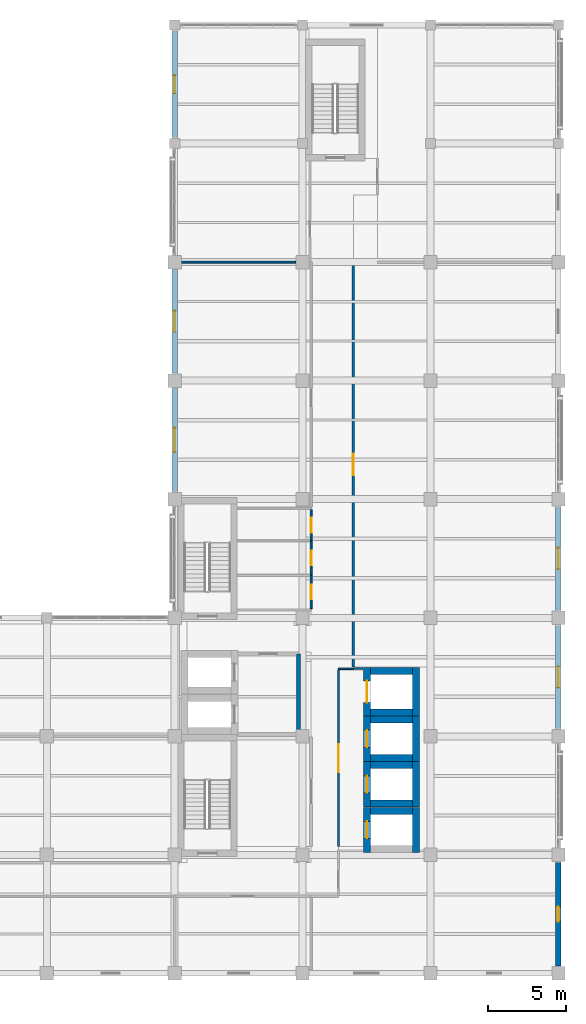
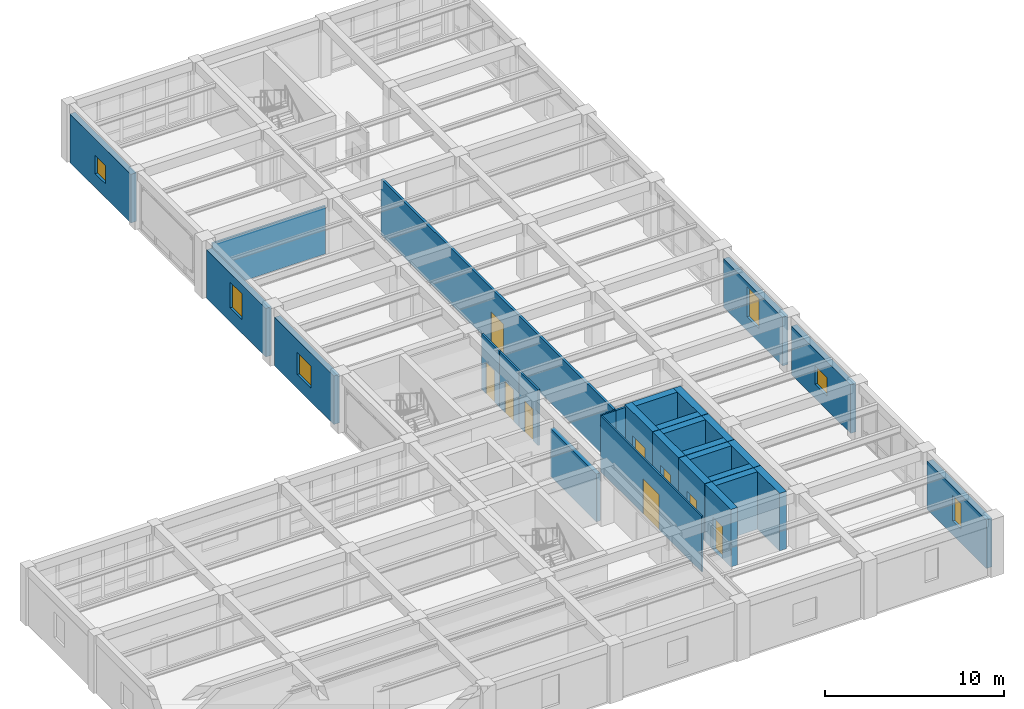
# One storey, part 10 of 16: 30 walls, 9 doors, 6 windows, 15 openings.
"""IFC4 building model written with IfcOpenShell, lengths in metres."""

from ifc_helpers import new_model, si_unit, direction, frame, frame_2d, origin, place, context, subcontext, project, spatial, rectangle, extrude, material, layer, layer_set, type_object, element, fill, save


model = new_model("IFC4")

# Units and contexts
model_context = context("Model", 3, precision=1e-05, world=origin(), true_north=direction((0.0, 1.0)))
body_context = subcontext(model_context, "Body", "Model", "MODEL_VIEW")
ifc_project = project(units=[si_unit("LENGTHUNIT", "METRE"), si_unit("AREAUNIT", "SQUARE_METRE"), si_unit("VOLUMEUNIT", "CUBIC_METRE"), si_unit("PLANEANGLEUNIT", "RADIAN"), si_unit("MASSUNIT", "GRAM", prefix="KILO")], contexts=[model_context])

# Site, building, storey
site_placement = place(None, origin())
site = spatial("IfcSite", under=ifc_project, at=site_placement, CompositionType="ELEMENT")
building_placement = place(site_placement, origin())
building = spatial("IfcBuilding", under=site, at=building_placement, Name="Qandaris Square Conservatory and Botanical Centre", CompositionType="ELEMENT")
storey_placement = place(building_placement, frame((0.0, 0.0, 24.0)))
storey = spatial("IfcBuildingStorey", under=building, at=storey_placement, Name="L05", CompositionType="ELEMENT", Elevation=24.0)

# Wall
ifc_material_1 = material(Name="Gypsum Plasterboard", Category="gypsum")
ifc_layer_1 = layer(ifc_material_1, 0.14990234375)
ifc_layer_set_1 = layer_set([ifc_layer_1], Name="Gypsum Plasterboard")
wall_type_1 = type_object("IfcWallType", Name="Acoustic Laboratory Partition 150mm", PredefinedType="PARTITIONING", material=ifc_layer_set_1)
wall_1_placement = place(storey_placement, frame((150.64990234375, 36.14990234375, 0.0), z_axis=(0.0, 0.0, 1.0), x_axis=(1.0, 0.0, 0.0)))
element("IfcWall", 1, at=wall_1_placement, inside=storey, type_object=wall_type_1, Name="Interior Partition IW-L05-0216", PredefinedType="PARTITIONING", context=body_context, shape_type="SweptSolid", body=[
    extrude(rectangle(XDim=0.6201171875, YDim=0.14990234375, at=frame_2d((0.31005859375, 0.0))), origin(), (0.0, 0.0, 1.0), 3.804931640625),
])

# Wall, opening, door
wall_2_placement = place(storey_placement, frame((150.64990234375, 62.199951171875, 0.0), z_axis=(0.0, 0.0, 1.0), x_axis=(0.0, -1.0, 0.0)))
wall_2 = element("IfcWall", 2, at=wall_2_placement, inside=storey, type_object=wall_type_1, Name="Interior Partition IW-L05-0227", PredefinedType="PARTITIONING", context=body_context, shape_type="SweptSolid", body=[
    extrude(rectangle(XDim=25.949951171875, YDim=0.14990234375, at=frame_2d((12.97509765625, 0.0))), origin(), (0.0, 0.0, 1.0), 3.804931640625),
])
opening_1_placement = place(wall_2_placement, frame((12.27490234375, 0.0, 0.0)))
opening_1 = element("IfcOpeningElement", 3, at=opening_1_placement, cuts=wall_2, Name="Opening D-LAB1", PredefinedType="OPENING", context=body_context, shape_type="SweptSolid", body=[
    extrude(rectangle(XDim=1.39990234375, YDim=2.199951171875, at=frame_2d((0.699951171875, 1.10009765625))), frame((0.0, 0.0869140625, 0.0), z_axis=(0.0, -1.0, 0.0), x_axis=(1.0, 0.0, 0.0)), (0.0, 0.0, 1.0), 0.173828125),
])
ifc_material_2 = material(Name="Engineered Oak Timber", Category="wood")
door_type_1 = type_object("IfcDoorType", Name="Research Laboratory Leaf-and-Half Door 1400x2200", OperationType="DOUBLE_DOOR_SINGLE_SWING", PredefinedType="DOOR", material=ifc_material_2)
door_1_placement = place(opening_1_placement, frame((1.39990234375, 0.0, 0.0), z_axis=(0.0, 0.0, 1.0), x_axis=(-1.0, 0.0, 0.0)))
door_1 = element("IfcDoor", 4, at=door_1_placement, inside=storey, type_object=door_type_1, Name="DR-0201 Desert Mycology Analytical Laboratory Door", OperationType="DOUBLE_DOOR_SINGLE_SWING", OverallHeight=2.199951171875, OverallWidth=1.39990234375, PredefinedType="DOOR", context=body_context, shape_type="SweptSolid", body=[
    extrude(rectangle(XDim=1.39990234375, YDim=2.199951171875, at=frame_2d((0.699951171875, 1.10009765625))), frame((0.0, 0.02490234375, 0.0), z_axis=(0.0, -1.0, 0.0), x_axis=(1.0, 0.0, 0.0)), (0.0, 0.0, 1.0), 0.050048828125),
])
fill(opening_1, door_1)

# Wall, opening, window
ifc_material_3 = material(Name="Precast concrete C40/50", Category="concrete")
ifc_layer_2 = layer(ifc_material_3, 0.360107421875)
ifc_layer_set_2 = layer_set([ifc_layer_2], Name="Precast concrete C40/50")
wall_type_2 = type_object("IfcWallType", Name="Architectural Precast Cladding Wall 360mm", PredefinedType="SOLIDWALL", material=ifc_layer_set_2)
wall_3_placement = place(storey_placement, frame((163.800048828125, 17.0849609375, 0.0), z_axis=(0.0, 0.0, 1.0), x_axis=(0.0, 1.0, 0.0)))
wall_3 = element("IfcWall", 5, at=wall_3_placement, inside=storey, type_object=wall_type_2, Name="Exterior Wall EW-TWR-L05-2-1", PredefinedType="SOLIDWALL", context=body_context, shape_type="SweptSolid", body=[
    extrude(rectangle(XDim=6.630126953125, YDim=0.360107421875, at=frame_2d((3.31494140625, 0.0))), origin(), (0.0, 0.0, 1.0), 3.31494140625),
])
opening_2_placement = place(wall_3_placement, frame((2.840087890625, 0.0, 0.949951171875)))
opening_2 = element("IfcOpeningElement", 6, at=opening_2_placement, cuts=wall_3, Name="Opening WN-15", PredefinedType="OPENING", context=body_context, shape_type="SweptSolid", body=[
    extrude(rectangle(XDim=0.949951171875, YDim=1.75, at=frame_2d((0.47509765625, 0.875))), frame((0.0, 0.19189453125, 0.0), z_axis=(0.0, -1.0, 0.0), x_axis=(1.0, 0.0, 0.0)), (0.0, 0.0, 1.0), 0.384033203125),
])
ifc_material_4 = material(Name="Tempered Low-E Glass", Category="glass")
window_type_1 = type_object("IfcWindowType", Name="Solar Control Window 950x1750", PartitioningType="SINGLE_PANEL", PredefinedType="WINDOW", material=ifc_material_4)
window_1_placement = place(opening_2_placement, origin())
window_1 = element("IfcWindow", 7, at=window_1_placement, inside=storey, type_object=window_type_1, Name="Window EW-TWR-L05-2-1", OverallHeight=1.75, OverallWidth=0.949951171875, PartitioningType="SINGLE_PANEL", PredefinedType="WINDOW", context=body_context, shape_type="SweptSolid", body=[
    extrude(rectangle(XDim=0.949951171875, YDim=1.75, at=frame_2d((0.47509765625, 0.875))), frame((0.0, 0.030029296875, 0.0), z_axis=(0.0, -1.0, 0.0), x_axis=(1.0, 0.0, 0.0)), (0.0, 0.0, 1.0), 0.06005859375),
])
fill(opening_2, window_1)

wall_4_placement = place(storey_placement, frame((163.800048828125, 32.284912109375, 0.0), z_axis=(0.0, 0.0, 1.0), x_axis=(0.0, 1.0, 0.0)))
wall_4 = element("IfcWall", 8, at=wall_4_placement, inside=storey, type_object=wall_type_2, Name="Exterior Wall EW-TWR-L05-2-3", PredefinedType="SOLIDWALL", context=body_context, shape_type="SweptSolid", body=[
    extrude(rectangle(XDim=6.630126953125, YDim=0.360107421875, at=frame_2d((3.31494140625, 0.0))), origin(), (0.0, 0.0, 1.0), 3.31494140625),
])
opening_3_placement = place(wall_4_placement, frame((2.639892578125, 0.0, 0.949951171875)))
opening_3 = element("IfcOpeningElement", 9, at=opening_3_placement, cuts=wall_4, Name="Opening WN-21", PredefinedType="OPENING", context=body_context, shape_type="SweptSolid", body=[
    extrude(rectangle(XDim=1.35009765625, YDim=1.25, at=frame_2d((0.675048828125, 0.625))), frame((0.0, 0.19189453125, 0.0), z_axis=(0.0, -1.0, 0.0), x_axis=(1.0, 0.0, 0.0)), (0.0, 0.0, 1.0), 0.384033203125),
])
window_type_2 = type_object("IfcWindowType", Name="Solar Control Window 1350x1250", PartitioningType="SINGLE_PANEL", PredefinedType="WINDOW", material=ifc_material_4)
window_2_placement = place(opening_3_placement, origin())
window_2 = element("IfcWindow", 10, at=window_2_placement, inside=storey, type_object=window_type_2, Name="Window EW-TWR-L05-2-3", OverallHeight=1.25, OverallWidth=1.35009765625, PartitioningType="SINGLE_PANEL", PredefinedType="WINDOW", context=body_context, shape_type="SweptSolid", body=[
    extrude(rectangle(XDim=1.35009765625, YDim=1.25, at=frame_2d((0.675048828125, 0.625))), frame((0.0, 0.030029296875, 0.0), z_axis=(0.0, -1.0, 0.0), x_axis=(1.0, 0.0, 0.0)), (0.0, 0.0, 1.0), 0.06005859375),
])
fill(opening_3, window_2)

wall_5_placement = place(storey_placement, frame((163.800048828125, 39.885009765625, 0.0), z_axis=(0.0, 0.0, 1.0), x_axis=(0.0, 1.0, 0.0)))
wall_5 = element("IfcWall", 11, at=wall_5_placement, inside=storey, type_object=wall_type_2, Name="Exterior Wall EW-TWR-L05-2-4", PredefinedType="SOLIDWALL", context=body_context, shape_type="SweptSolid", body=[
    extrude(rectangle(XDim=6.6298828125, YDim=0.360107421875, at=frame_2d((3.31494140625, 0.0))), origin(), (0.0, 0.0, 1.0), 3.31494140625),
])
opening_4_placement = place(wall_5_placement, frame((2.639892578125, 0.0, 0.949951171875)))
opening_4 = element("IfcOpeningElement", 12, at=opening_4_placement, cuts=wall_5, Name="Opening WN-24", PredefinedType="OPENING", context=body_context, shape_type="SweptSolid", body=[
    extrude(rectangle(XDim=1.35009765625, YDim=2.050048828125, at=frame_2d((0.675048828125, 1.02490234375))), frame((0.0, 0.19189453125, 0.0), z_axis=(0.0, -1.0, 0.0), x_axis=(1.0, 0.0, 0.0)), (0.0, 0.0, 1.0), 0.384033203125),
])
window_type_3 = type_object("IfcWindowType", Name="Solar Control Window 1350x2050", PartitioningType="SINGLE_PANEL", PredefinedType="WINDOW", material=ifc_material_4)
window_3_placement = place(opening_4_placement, origin())
window_3 = element("IfcWindow", 13, at=window_3_placement, inside=storey, type_object=window_type_3, Name="Window EW-TWR-L05-2-4", OverallHeight=2.050048828125, OverallWidth=1.35009765625, PartitioningType="SINGLE_PANEL", PredefinedType="WINDOW", context=body_context, shape_type="SweptSolid", body=[
    extrude(rectangle(XDim=1.35009765625, YDim=2.050048828125, at=frame_2d((0.675048828125, 1.02490234375))), frame((0.0, 0.030029296875, 0.0), z_axis=(0.0, -1.0, 0.0), x_axis=(1.0, 0.0, 0.0)), (0.0, 0.0, 1.0), 0.06005859375),
])
fill(opening_4, window_3)

wall_6_placement = place(storey_placement, frame((139.199951171875, 77.014892578125, 0.0), z_axis=(0.0, 0.0, 1.0), x_axis=(0.0, -1.0, 0.0)))
wall_6 = element("IfcWall", 14, at=wall_6_placement, inside=storey, type_object=wall_type_2, Name="Exterior Wall EW-TWR-L05-4-1", PredefinedType="SOLIDWALL", context=body_context, shape_type="SweptSolid", body=[
    extrude(rectangle(XDim=6.829833984375, YDim=0.360107421875, at=frame_2d((3.4150390625, 0.0))), origin(), (0.0, 0.0, 1.0), 3.31494140625),
])
opening_5_placement = place(wall_6_placement, frame((2.840087890625, 0.0, 0.949951171875)))
opening_5 = element("IfcOpeningElement", 15, at=opening_5_placement, cuts=wall_6, Name="Opening WN-17", PredefinedType="OPENING", context=body_context, shape_type="SweptSolid", body=[
    extrude(rectangle(XDim=1.14990234375, YDim=1.25, at=frame_2d((0.574951171875, 0.625))), frame((0.0, 0.19189453125, 0.0), z_axis=(0.0, -1.0, 0.0), x_axis=(1.0, 0.0, 0.0)), (0.0, 0.0, 1.0), 0.384033203125),
])
window_type_4 = type_object("IfcWindowType", Name="Solar Control Window 1150x1250", PartitioningType="SINGLE_PANEL", PredefinedType="WINDOW", material=ifc_material_4)
window_4_placement = place(opening_5_placement, origin())
window_4 = element("IfcWindow", 16, at=window_4_placement, inside=storey, type_object=window_type_4, Name="Window EW-TWR-L05-4-1", OverallHeight=1.25, OverallWidth=1.14990234375, PartitioningType="SINGLE_PANEL", PredefinedType="WINDOW", context=body_context, shape_type="SweptSolid", body=[
    extrude(rectangle(XDim=1.14990234375, YDim=1.25, at=frame_2d((0.574951171875, 0.625))), frame((0.0, 0.030029296875, 0.0), z_axis=(0.0, -1.0, 0.0), x_axis=(1.0, 0.0, 0.0)), (0.0, 0.0, 1.0), 0.06005859375),
])
fill(opening_5, window_4)

wall_7_placement = place(storey_placement, frame((139.199951171875, 61.715087890625, 0.0), z_axis=(0.0, 0.0, 1.0), x_axis=(0.0, -1.0, 0.0)))
wall_7 = element("IfcWall", 17, at=wall_7_placement, inside=storey, type_object=wall_type_2, Name="Exterior Wall EW-TWR-L05-4-3", PredefinedType="SOLIDWALL", context=body_context, shape_type="SweptSolid", body=[
    extrude(rectangle(XDim=6.630126953125, YDim=0.360107421875, at=frame_2d((3.31494140625, 0.0))), origin(), (0.0, 0.0, 1.0), 3.31494140625),
])
opening_6_placement = place(wall_7_placement, frame((2.639892578125, 0.0, 0.949951171875)))
opening_6 = element("IfcOpeningElement", 18, at=opening_6_placement, cuts=wall_7, Name="Opening WN-23", PredefinedType="OPENING", context=body_context, shape_type="SweptSolid", body=[
    extrude(rectangle(XDim=1.35009765625, YDim=1.75, at=frame_2d((0.675048828125, 0.875))), frame((0.0, 0.19189453125, 0.0), z_axis=(0.0, -1.0, 0.0), x_axis=(1.0, 0.0, 0.0)), (0.0, 0.0, 1.0), 0.384033203125),
])
window_type_5 = type_object("IfcWindowType", Name="Solar Control Window 1350x1750", PartitioningType="SINGLE_PANEL", PredefinedType="WINDOW", material=ifc_material_4)
window_5_placement = place(opening_6_placement, origin())
window_5 = element("IfcWindow", 19, at=window_5_placement, inside=storey, type_object=window_type_5, Name="Window EW-TWR-L05-4-3", OverallHeight=1.75, OverallWidth=1.35009765625, PartitioningType="SINGLE_PANEL", PredefinedType="WINDOW", context=body_context, shape_type="SweptSolid", body=[
    extrude(rectangle(XDim=1.35009765625, YDim=1.75, at=frame_2d((0.675048828125, 0.875))), frame((0.0, 0.030029296875, 0.0), z_axis=(0.0, -1.0, 0.0), x_axis=(1.0, 0.0, 0.0)), (0.0, 0.0, 1.0), 0.06005859375),
])
fill(opening_6, window_5)

wall_8_placement = place(storey_placement, frame((139.199951171875, 54.114990234375, 0.0), z_axis=(0.0, 0.0, 1.0), x_axis=(0.0, -1.0, 0.0)))
wall_8 = element("IfcWall", 20, at=wall_8_placement, inside=storey, type_object=wall_type_2, Name="Exterior Wall EW-TWR-L05-4-4", PredefinedType="SOLIDWALL", context=body_context, shape_type="SweptSolid", body=[
    extrude(rectangle(XDim=6.6298828125, YDim=0.360107421875, at=frame_2d((3.31494140625, 0.0))), origin(), (0.0, 0.0, 1.0), 3.31494140625),
])
opening_7_placement = place(wall_8_placement, frame((2.5400390625, 0.0, 0.949951171875)))
opening_7 = element("IfcOpeningElement", 21, at=opening_7_placement, cuts=wall_8, Name="Opening WN-26", PredefinedType="OPENING", context=body_context, shape_type="SweptSolid", body=[
    extrude(rectangle(XDim=1.550048828125, YDim=1.5, at=frame_2d((0.77490234375, 0.75))), frame((0.0, 0.19189453125, 0.0), z_axis=(0.0, -1.0, 0.0), x_axis=(1.0, 0.0, 0.0)), (0.0, 0.0, 1.0), 0.384033203125),
])
window_type_6 = type_object("IfcWindowType", Name="Solar Control Window 1550x1500", PartitioningType="DOUBLE_PANEL_VERTICAL", PredefinedType="WINDOW", material=ifc_material_4)
window_6_placement = place(opening_7_placement, origin())
window_6 = element("IfcWindow", 22, at=window_6_placement, inside=storey, type_object=window_type_6, Name="Window EW-TWR-L05-4-4", OverallHeight=1.5, OverallWidth=1.550048828125, PartitioningType="DOUBLE_PANEL_VERTICAL", PredefinedType="WINDOW", context=body_context, shape_type="SweptSolid", body=[
    extrude(rectangle(XDim=1.550048828125, YDim=1.5, at=frame_2d((0.77490234375, 0.75))), frame((0.0, 0.030029296875, 0.0), z_axis=(0.0, -1.0, 0.0), x_axis=(1.0, 0.0, 0.0)), (0.0, 0.0, 1.0), 0.06005859375),
])
fill(opening_7, window_6)

# Wall
ifc_material_5 = material(Name="Concrete C40/50", Category="concrete")
ifc_layer_3 = layer(ifc_material_5, 0.25)
ifc_layer_set_3 = layer_set([ifc_layer_3], Name="Concrete C40/50")
wall_type_3 = type_object("IfcWallType", Name="Firefighting Lobby Compartment Wall 250mm", PredefinedType="SOLIDWALL", material=ifc_layer_set_3)
wall_9_placement = place(storey_placement, frame((147.125, 31.925048828125, 0.0), z_axis=(0.0, 0.0, 1.0), x_axis=(0.0, 1.0, 0.0)))
element("IfcWall", 23, at=wall_9_placement, inside=storey, type_object=wall_type_3, Name="Firefighting Lobby Wall East (L05)", PredefinedType="SOLIDWALL", context=body_context, shape_type="SweptSolid", body=[
    extrude(rectangle(XDim=5.14990234375, YDim=0.25, at=frame_2d((2.574951171875, 0.0))), origin(), (0.0, 0.0, 1.0), 3.264892578125),
])

# Wall, opening, door
ifc_layer_4 = layer(ifc_material_4, 0.10009765625)
ifc_layer_set_4 = layer_set([ifc_layer_4], Name="Tempered Low-E Glass")
wall_type_4 = type_object("IfcWallType", Name="Framed Acoustic Glazed Gallery Screen 100mm", PredefinedType="PARTITIONING", material=ifc_layer_set_4)
wall_10_placement = place(storey_placement, frame((149.699951171875, 24.75, 0.0), z_axis=(0.0, 0.0, 1.0), x_axis=(0.0, 1.0, 0.0)))
wall_10 = element("IfcWall", 24, at=wall_10_placement, inside=storey, type_object=wall_type_4, Name="Interior Partition IW-L05-0214", PredefinedType="PARTITIONING", context=body_context, shape_type="SweptSolid", body=[
    extrude(rectangle(XDim=11.300048828125, YDim=0.10009765625, at=frame_2d((5.64990234375, 0.0))), origin(), (0.0, 0.0, 1.0), 3.804931640625),
])
opening_8_placement = place(wall_10_placement, frame((4.75, 0.0, 0.0)))
opening_8 = element("IfcOpeningElement", 25, at=opening_8_placement, cuts=wall_10, Name="Opening D-GL1", PredefinedType="OPENING", context=body_context, shape_type="SweptSolid", body=[
    extrude(rectangle(XDim=1.800048828125, YDim=2.39990234375, at=frame_2d((0.89990234375, 1.199951171875))), frame((0.0, 0.06201171875, 0.0), z_axis=(0.0, -1.0, 0.0), x_axis=(1.0, 0.0, 0.0)), (0.0, 0.0, 1.0), 0.1240234375),
])
ifc_material_6 = material(Name="Anodised Aluminium", Category="aluminium")
door_type_2 = type_object("IfcDoorType", Name="Visitor Gallery Glazed Double Door 1800x2400", OperationType="DOUBLE_DOOR_SINGLE_SWING", PredefinedType="DOOR", material=ifc_material_6)
door_2_placement = place(opening_8_placement, frame((1.800048828125, 0.0, 0.0), z_axis=(0.0, 0.0, 1.0), x_axis=(-1.0, 0.0, 0.0)))
door_2 = element("IfcDoor", 26, at=door_2_placement, inside=storey, type_object=door_type_2, Name="DR-0199 Main Circulation Corridor L05 Door", OperationType="DOUBLE_DOOR_SINGLE_SWING", OverallHeight=2.39990234375, OverallWidth=1.800048828125, PredefinedType="DOOR", context=body_context, shape_type="SweptSolid", body=[
    extrude(rectangle(XDim=1.800048828125, YDim=2.39990234375, at=frame_2d((0.89990234375, 1.199951171875))), frame((0.0, 0.02490234375, 0.0), z_axis=(0.0, -1.0, 0.0), x_axis=(1.0, 0.0, 0.0)), (0.0, 0.0, 1.0), 0.050048828125),
])
fill(opening_8, door_2)

# Walls
wall_11_placement = place(storey_placement, frame((149.699951171875, 36.125, 0.0), z_axis=(0.0, 0.0, 1.0), x_axis=(1.0, 0.0, 0.0)))
element("IfcWall", 27, at=wall_11_placement, inside=storey, type_object=wall_type_4, Name="Interior Partition IW-L05-0215", PredefinedType="PARTITIONING", context=body_context, shape_type="SweptSolid", body=[
    extrude(rectangle(XDim=0.949951171875, YDim=0.10009765625, at=frame_2d((0.47509765625, 0.0))), origin(), (0.0, 0.0, 1.0), 3.804931640625),
])
ifc_material_7 = material(Name="Concrete C50/60", Category="concrete")
ifc_layer_5 = layer(ifc_material_7, 0.449951171875)
ifc_layer_set_5 = layer_set([ifc_layer_5], Name="Concrete C50/60")
wall_type_5 = type_object("IfcWallType", Name="RC Coupled Core Shear Wall 450mm", PredefinedType="SHEAR", material=ifc_layer_set_5)
wall_12_placement = place(storey_placement, frame((151.75, 27.02490234375, 0.0), z_axis=(0.0, 0.0, 1.0), x_axis=(1.0, 0.0, 0.0)))
element("IfcWall", 28, at=wall_12_placement, inside=storey, type_object=wall_type_5, Name="Lift PL1 Shaft Wall North (L05)", PredefinedType="SHEAR", context=body_context, shape_type="SweptSolid", body=[
    extrude(rectangle(XDim=2.699951171875, YDim=0.449951171875, at=frame_2d((1.35009765625, 0.0))), origin(), (0.0, 0.0, 1.0), 3.929931640625),
])

# Wall, opening, door
wall_13_placement = place(storey_placement, frame((151.52490234375, 24.35009765625, 0.0), z_axis=(0.0, 0.0, 1.0), x_axis=(0.0, 1.0, 0.0)))
wall_13 = element("IfcWall", 29, at=wall_13_placement, inside=storey, type_object=wall_type_5, Name="Lift PL1 Shaft Wall West (L05)", PredefinedType="SHEAR", context=body_context, shape_type="SweptSolid", body=[
    extrude(rectangle(XDim=2.89990234375, YDim=0.449951171875, at=frame_2d((1.449951171875, 0.0))), origin(), (0.0, 0.0, 1.0), 3.929931640625),
])
opening_9_placement = place(wall_13_placement, frame((0.89990234375, 0.0, 0.0)))
opening_9 = element("IfcOpeningElement", 30, at=opening_9_placement, cuts=wall_13, Name="Opening LD-PAX", PredefinedType="OPENING", context=body_context, shape_type="SweptSolid", body=[
    extrude(rectangle(XDim=1.10009765625, YDim=2.199951171875, at=frame_2d((0.550048828125, 1.10009765625))), frame((0.0, 0.23681640625, 0.0), z_axis=(0.0, -1.0, 0.0), x_axis=(1.0, 0.0, 0.0)), (0.0, 0.0, 1.0), 0.473876953125),
])
door_type_3 = type_object("IfcDoorType", Name="Passenger Lift Sliding Landing Door 1100x2200", OperationType="DOUBLE_DOOR_SLIDING", PredefinedType="DOOR", material=ifc_material_6)
door_3_placement = place(opening_9_placement, origin())
door_3 = element("IfcDoor", 31, at=door_3_placement, inside=storey, type_object=door_type_3, Name="DR-0219 Lift PL1 Landing Door (L05)", OperationType="DOUBLE_DOOR_SLIDING", OverallHeight=2.199951171875, OverallWidth=1.10009765625, PredefinedType="DOOR", context=body_context, shape_type="SweptSolid", body=[
    extrude(rectangle(XDim=1.10009765625, YDim=2.199951171875, at=frame_2d((0.550048828125, 1.10009765625))), frame((0.0, 0.02490234375, 0.0), z_axis=(0.0, -1.0, 0.0), x_axis=(1.0, 0.0, 0.0)), (0.0, 0.0, 1.0), 0.050048828125),
])
fill(opening_9, door_3)

# Walls
wall_14_placement = place(storey_placement, frame((154.675048828125, 24.35009765625, 0.0), z_axis=(0.0, 0.0, 1.0), x_axis=(0.0, 1.0, 0.0)))
element("IfcWall", 32, at=wall_14_placement, inside=storey, type_object=wall_type_5, Name="Lift PL1 Shaft Wall East (L05)", PredefinedType="SHEAR", context=body_context, shape_type="SweptSolid", body=[
    extrude(rectangle(XDim=2.89990234375, YDim=0.449951171875, at=frame_2d((1.449951171875, 0.0))), origin(), (0.0, 0.0, 1.0), 3.929931640625),
])
for number, where, z_axis, x_axis, name in (
    (33, (151.75, 27.4951171875, 0.0), (0.0, 0.0, 1.0), (1.0, 0.0, 0.0), "Lift PL2 Shaft Wall South (L05)"),
    (34, (151.75, 29.945068359375, 0.0), (0.0, 0.0, 1.0), (1.0, 0.0, 0.0), "Lift PL2 Shaft Wall North (L05)"),
):
    element("IfcWall", number, at=place(storey_placement, frame(where, z_axis=z_axis, x_axis=x_axis)), inside=storey, type_object=wall_type_5, Name=name, PredefinedType="SHEAR", context=body_context, shape_type="SweptSolid", body=[
        extrude(rectangle(XDim=2.699951171875, YDim=0.449951171875, at=frame_2d((1.35009765625, 0.0))), origin(), (0.0, 0.0, 1.0), 3.929931640625),
    ])

# Wall, opening, door
wall_15_placement = place(storey_placement, frame((151.52490234375, 27.27001953125, 0.0), z_axis=(0.0, 0.0, 1.0), x_axis=(0.0, 1.0, 0.0)))
wall_15 = element("IfcWall", 35, at=wall_15_placement, inside=storey, type_object=wall_type_5, Name="Lift PL2 Shaft Wall West (L05)", PredefinedType="SHEAR", context=body_context, shape_type="SweptSolid", body=[
    extrude(rectangle(XDim=2.89990234375, YDim=0.449951171875, at=frame_2d((1.449951171875, 0.0))), origin(), (0.0, 0.0, 1.0), 3.929931640625),
])
opening_10_placement = place(wall_15_placement, frame((0.89990234375, 0.0, 0.0)))
opening_10 = element("IfcOpeningElement", 36, at=opening_10_placement, cuts=wall_15, Name="Opening LD-PAX", PredefinedType="OPENING", context=body_context, shape_type="SweptSolid", body=[
    extrude(rectangle(XDim=1.10009765625, YDim=2.199951171875, at=frame_2d((0.550048828125, 1.10009765625))), frame((0.0, 0.23681640625, 0.0), z_axis=(0.0, -1.0, 0.0), x_axis=(1.0, 0.0, 0.0)), (0.0, 0.0, 1.0), 0.473876953125),
])
door_4_placement = place(opening_10_placement, origin())
door_4 = element("IfcDoor", 37, at=door_4_placement, inside=storey, type_object=door_type_3, Name="DR-0220 Lift PL2 Landing Door (L05)", OperationType="DOUBLE_DOOR_SLIDING", OverallHeight=2.199951171875, OverallWidth=1.10009765625, PredefinedType="DOOR", context=body_context, shape_type="SweptSolid", body=[
    extrude(rectangle(XDim=1.10009765625, YDim=2.199951171875, at=frame_2d((0.550048828125, 1.10009765625))), frame((0.0, 0.02490234375, 0.0), z_axis=(0.0, -1.0, 0.0), x_axis=(1.0, 0.0, 0.0)), (0.0, 0.0, 1.0), 0.050048828125),
])
fill(opening_10, door_4)

# Walls
wall_16_placement = place(storey_placement, frame((154.675048828125, 27.27001953125, 0.0), z_axis=(0.0, 0.0, 1.0), x_axis=(0.0, 1.0, 0.0)))
element("IfcWall", 38, at=wall_16_placement, inside=storey, type_object=wall_type_5, Name="Lift PL2 Shaft Wall East (L05)", PredefinedType="SHEAR", context=body_context, shape_type="SweptSolid", body=[
    extrude(rectangle(XDim=2.89990234375, YDim=0.449951171875, at=frame_2d((1.449951171875, 0.0))), origin(), (0.0, 0.0, 1.0), 3.929931640625),
])
for number, where, z_axis, x_axis, name in (
    (39, (151.75, 30.4150390625, 0.0), (0.0, 0.0, 1.0), (1.0, 0.0, 0.0), "Lift PL3 Shaft Wall South (L05)"),
    (40, (151.75, 32.864990234375, 0.0), (0.0, 0.0, 1.0), (1.0, 0.0, 0.0), "Lift PL3 Shaft Wall North (L05)"),
):
    element("IfcWall", number, at=place(storey_placement, frame(where, z_axis=z_axis, x_axis=x_axis)), inside=storey, type_object=wall_type_5, Name=name, PredefinedType="SHEAR", context=body_context, shape_type="SweptSolid", body=[
        extrude(rectangle(XDim=2.699951171875, YDim=0.449951171875, at=frame_2d((1.35009765625, 0.0))), origin(), (0.0, 0.0, 1.0), 3.929931640625),
    ])

# Wall, opening, door
wall_17_placement = place(storey_placement, frame((151.52490234375, 30.18994140625, 0.0), z_axis=(0.0, 0.0, 1.0), x_axis=(0.0, 1.0, 0.0)))
wall_17 = element("IfcWall", 41, at=wall_17_placement, inside=storey, type_object=wall_type_5, Name="Lift PL3 Shaft Wall West (L05)", PredefinedType="SHEAR", context=body_context, shape_type="SweptSolid", body=[
    extrude(rectangle(XDim=2.900146484375, YDim=0.449951171875, at=frame_2d((1.4501953125, 0.0))), origin(), (0.0, 0.0, 1.0), 3.929931640625),
])
opening_11_placement = place(wall_17_placement, frame((0.89990234375, 0.0, 0.0)))
opening_11 = element("IfcOpeningElement", 42, at=opening_11_placement, cuts=wall_17, Name="Opening LD-PAX", PredefinedType="OPENING", context=body_context, shape_type="SweptSolid", body=[
    extrude(rectangle(XDim=1.10009765625, YDim=2.199951171875, at=frame_2d((0.550048828125, 1.10009765625))), frame((0.0, 0.23681640625, 0.0), z_axis=(0.0, -1.0, 0.0), x_axis=(1.0, 0.0, 0.0)), (0.0, 0.0, 1.0), 0.473876953125),
])
door_5_placement = place(opening_11_placement, origin())
door_5 = element("IfcDoor", 43, at=door_5_placement, inside=storey, type_object=door_type_3, Name="DR-0221 Lift PL3 Landing Door (L05)", OperationType="DOUBLE_DOOR_SLIDING", OverallHeight=2.199951171875, OverallWidth=1.10009765625, PredefinedType="DOOR", context=body_context, shape_type="SweptSolid", body=[
    extrude(rectangle(XDim=1.10009765625, YDim=2.199951171875, at=frame_2d((0.550048828125, 1.10009765625))), frame((0.0, 0.02490234375, 0.0), z_axis=(0.0, -1.0, 0.0), x_axis=(1.0, 0.0, 0.0)), (0.0, 0.0, 1.0), 0.050048828125),
])
fill(opening_11, door_5)

# Walls
wall_18_placement = place(storey_placement, frame((154.675048828125, 30.18994140625, 0.0), z_axis=(0.0, 0.0, 1.0), x_axis=(0.0, 1.0, 0.0)))
element("IfcWall", 44, at=wall_18_placement, inside=storey, type_object=wall_type_5, Name="Lift PL3 Shaft Wall East (L05)", PredefinedType="SHEAR", context=body_context, shape_type="SweptSolid", body=[
    extrude(rectangle(XDim=2.900146484375, YDim=0.449951171875, at=frame_2d((1.4501953125, 0.0))), origin(), (0.0, 0.0, 1.0), 3.929931640625),
])
for number, where, z_axis, x_axis, name in (
    (45, (151.75, 33.3349609375, 0.0), (0.0, 0.0, 1.0), (1.0, 0.0, 0.0), "Lift GL1 Shaft Wall South (L05)"),
    (46, (151.75, 35.985107421875, 0.0), (0.0, 0.0, 1.0), (1.0, 0.0, 0.0), "Lift GL1 Shaft Wall North (L05)"),
):
    element("IfcWall", number, at=place(storey_placement, frame(where, z_axis=z_axis, x_axis=x_axis)), inside=storey, type_object=wall_type_5, Name=name, PredefinedType="SHEAR", context=body_context, shape_type="SweptSolid", body=[
        extrude(rectangle(XDim=2.699951171875, YDim=0.449951171875, at=frame_2d((1.35009765625, 0.0))), origin(), (0.0, 0.0, 1.0), 3.929931640625),
    ])

# Wall, opening, door
wall_19_placement = place(storey_placement, frame((151.52490234375, 33.110107421875, 0.0), z_axis=(0.0, 0.0, 1.0), x_axis=(0.0, 1.0, 0.0)))
wall_19 = element("IfcWall", 47, at=wall_19_placement, inside=storey, type_object=wall_type_5, Name="Lift GL1 Shaft Wall West (L05)", PredefinedType="SHEAR", context=body_context, shape_type="SweptSolid", body=[
    extrude(rectangle(XDim=3.099853515625, YDim=0.449951171875, at=frame_2d((1.5498046875, 0.0))), origin(), (0.0, 0.0, 1.0), 3.929931640625),
])
opening_12_placement = place(wall_19_placement, frame((0.85009765625, 0.0, 0.0)))
opening_12 = element("IfcOpeningElement", 48, at=opening_12_placement, cuts=wall_19, Name="Opening LD-GDS", PredefinedType="OPENING", context=body_context, shape_type="SweptSolid", body=[
    extrude(rectangle(XDim=1.39990234375, YDim=2.300048828125, at=frame_2d((0.699951171875, 1.14990234375))), frame((0.0, 0.23681640625, 0.0), z_axis=(0.0, -1.0, 0.0), x_axis=(1.0, 0.0, 0.0)), (0.0, 0.0, 1.0), 0.473876953125),
])
ifc_material_8 = material(Name="Steel S355", Category="steel")
door_type_4 = type_object("IfcDoorType", Name="Goods & Herbarium Lift Sliding Landing Door 1400x2300", OperationType="DOUBLE_DOOR_SLIDING", PredefinedType="DOOR", material=ifc_material_8)
door_6_placement = place(opening_12_placement, origin())
door_6 = element("IfcDoor", 49, at=door_6_placement, inside=storey, type_object=door_type_4, Name="DR-0218 Lift GL1 Landing Door (L05)", OperationType="DOUBLE_DOOR_SLIDING", OverallHeight=2.300048828125, OverallWidth=1.39990234375, PredefinedType="DOOR", context=body_context, shape_type="SweptSolid", body=[
    extrude(rectangle(XDim=1.39990234375, YDim=2.300048828125, at=frame_2d((0.699951171875, 1.14990234375))), frame((0.0, 0.02490234375, 0.0), z_axis=(0.0, -1.0, 0.0), x_axis=(1.0, 0.0, 0.0)), (0.0, 0.0, 1.0), 0.050048828125),
])
fill(opening_12, door_6)

# Wall
wall_20_placement = place(storey_placement, frame((154.675048828125, 33.110107421875, 0.0), z_axis=(0.0, 0.0, 1.0), x_axis=(0.0, 1.0, 0.0)))
element("IfcWall", 50, at=wall_20_placement, inside=storey, type_object=wall_type_5, Name="Lift GL1 Shaft Wall East (L05)", PredefinedType="SHEAR", context=body_context, shape_type="SweptSolid", body=[
    extrude(rectangle(XDim=3.099853515625, YDim=0.449951171875, at=frame_2d((1.5498046875, 0.0))), origin(), (0.0, 0.0, 1.0), 3.929931640625),
])

# Wall, opening, door
ifc_layer_6 = layer(ifc_material_1, 0.1201171875)
ifc_layer_set_6 = layer_set([ifc_layer_6], Name="Gypsum Plasterboard")
wall_type_6 = type_object("IfcWallType", Name="Standard Research Partition 120mm", PredefinedType="PARTITIONING", material=ifc_layer_set_6)
wall_21_placement = place(storey_placement, frame((147.949951171875, 42.1201171875, 0.0), z_axis=(0.0, 0.0, 1.0), x_axis=(0.0, -1.0, 0.0)))
wall_21 = element("IfcWall", 51, at=wall_21_placement, inside=storey, type_object=wall_type_6, Name="Interior Partition IW-L05-0218", PredefinedType="PARTITIONING", context=body_context, shape_type="SweptSolid", body=[
    extrude(rectangle(XDim=2.130126953125, YDim=0.1201171875, at=frame_2d((1.06494140625, 0.0))), origin(), (0.0, 0.0, 1.0), 3.804931640625),
])
opening_13_placement = place(wall_21_placement, frame((0.590087890625, 0.0, 0.0)))
opening_13 = element("IfcOpeningElement", 52, at=opening_13_placement, cuts=wall_21, Name="Opening D-WC1", PredefinedType="OPENING", context=body_context, shape_type="SweptSolid", body=[
    extrude(rectangle(XDim=0.949951171875, YDim=2.14990234375, at=frame_2d((0.47509765625, 1.074951171875))), frame((0.0, 0.072021484375, 0.0), z_axis=(0.0, -1.0, 0.0), x_axis=(1.0, 0.0, 0.0)), (0.0, 0.0, 1.0), 0.14404296875),
])
door_type_5 = type_object("IfcDoorType", Name="Accessible Sanitary Room Door 950x2150", OperationType="NOTDEFINED", PredefinedType="DOOR", material=ifc_material_2)
door_7_placement = place(opening_13_placement, origin())
door_7 = element("IfcDoor", 53, at=door_7_placement, inside=storey, type_object=door_type_5, Name="DR-0213 Accessible Toilet L05 Door", OperationType="SINGLE_SWING_RIGHT", OverallHeight=2.14990234375, OverallWidth=0.949951171875, PredefinedType="DOOR", context=body_context, shape_type="SweptSolid", body=[
    extrude(rectangle(XDim=0.949951171875, YDim=2.14990234375, at=frame_2d((0.47509765625, 1.074951171875))), frame((0.0, 0.02490234375, 0.0), z_axis=(0.0, -1.0, 0.0), x_axis=(1.0, 0.0, 0.0)), (0.0, 0.0, 1.0), 0.050048828125),
])
fill(opening_13, door_7)

wall_22_placement = place(storey_placement, frame((147.949951171875, 44.340087890625, 0.0), z_axis=(0.0, 0.0, 1.0), x_axis=(0.0, -1.0, 0.0)))
wall_22 = element("IfcWall", 54, at=wall_22_placement, inside=storey, type_object=wall_type_6, Name="Interior Partition IW-L05-0220", PredefinedType="PARTITIONING", context=body_context, shape_type="SweptSolid", body=[
    extrude(rectangle(XDim=2.219970703125, YDim=0.1201171875, at=frame_2d((1.10986328125, 0.0))), origin(), (0.0, 0.0, 1.0), 3.804931640625),
])
opening_14_placement = place(wall_22_placement, frame((0.635009765625, 0.0, 0.0)))
opening_14 = element("IfcOpeningElement", 55, at=opening_14_placement, cuts=wall_22, Name="Opening D-WC1", PredefinedType="OPENING", context=body_context, shape_type="SweptSolid", body=[
    extrude(rectangle(XDim=0.949951171875, YDim=2.14990234375, at=frame_2d((0.47509765625, 1.074951171875))), frame((0.0, 0.072021484375, 0.0), z_axis=(0.0, -1.0, 0.0), x_axis=(1.0, 0.0, 0.0)), (0.0, 0.0, 1.0), 0.14404296875),
])
door_8_placement = place(opening_14_placement, origin())
door_8 = element("IfcDoor", 56, at=door_8_placement, inside=storey, type_object=door_type_5, Name="DR-0214 Staff Male Toilet L05 Door", OperationType="SINGLE_SWING_LEFT", OverallHeight=2.14990234375, OverallWidth=0.949951171875, PredefinedType="DOOR", context=body_context, shape_type="SweptSolid", body=[
    extrude(rectangle(XDim=0.949951171875, YDim=2.14990234375, at=frame_2d((0.47509765625, 1.074951171875))), frame((0.0, 0.02490234375, 0.0), z_axis=(0.0, -1.0, 0.0), x_axis=(1.0, 0.0, 0.0)), (0.0, 0.0, 1.0), 0.050048828125),
])
fill(opening_14, door_8)

wall_23_placement = place(storey_placement, frame((147.949951171875, 46.330078125, 0.0), z_axis=(0.0, 0.0, 1.0), x_axis=(0.0, -1.0, 0.0)))
wall_23 = element("IfcWall", 57, at=wall_23_placement, inside=storey, type_object=wall_type_6, Name="Interior Partition IW-L05-0221", PredefinedType="PARTITIONING", context=body_context, shape_type="SweptSolid", body=[
    extrude(rectangle(XDim=1.989990234375, YDim=0.1201171875, at=frame_2d((0.9951171875, 0.0))), origin(), (0.0, 0.0, 1.0), 3.804931640625),
])
opening_15_placement = place(wall_23_placement, frame((0.52001953125, 0.0, 0.0)))
opening_15 = element("IfcOpeningElement", 58, at=opening_15_placement, cuts=wall_23, Name="Opening D-WC1", PredefinedType="OPENING", context=body_context, shape_type="SweptSolid", body=[
    extrude(rectangle(XDim=0.949951171875, YDim=2.14990234375, at=frame_2d((0.47509765625, 1.074951171875))), frame((0.0, 0.072021484375, 0.0), z_axis=(0.0, -1.0, 0.0), x_axis=(1.0, 0.0, 0.0)), (0.0, 0.0, 1.0), 0.14404296875),
])
door_9_placement = place(opening_15_placement, frame((0.949951171875, 0.0, 0.0), z_axis=(0.0, 0.0, 1.0), x_axis=(-1.0, 0.0, 0.0)))
door_9 = element("IfcDoor", 59, at=door_9_placement, inside=storey, type_object=door_type_5, Name="DR-0215 Staff Female Toilet L05 Door", OperationType="SINGLE_SWING_RIGHT", OverallHeight=2.14990234375, OverallWidth=0.949951171875, PredefinedType="DOOR", context=body_context, shape_type="SweptSolid", body=[
    extrude(rectangle(XDim=0.949951171875, YDim=2.14990234375, at=frame_2d((0.47509765625, 1.074951171875))), frame((0.0, 0.02490234375, 0.0), z_axis=(0.0, -1.0, 0.0), x_axis=(1.0, 0.0, 0.0)), (0.0, 0.0, 1.0), 0.050048828125),
])
fill(opening_15, door_9)

# Wall
wall_24_placement = place(storey_placement, frame((139.64501953125, 62.199951171875, 0.0), z_axis=(0.0, 0.0, 1.0), x_axis=(1.0, 0.0, 0.0)))
element("IfcWall", 60, at=wall_24_placement, inside=storey, type_object=wall_type_6, Name="Interior Partition IW-L05-0237", PredefinedType="PARTITIONING", context=body_context, shape_type="SweptSolid", body=[
    extrude(rectangle(XDim=7.31005859375, YDim=0.1201171875, at=frame_2d((3.655029296875, 0.0))), origin(), (0.0, 0.0, 1.0), 3.264892578125),
])

save(model, "model.ifc")
